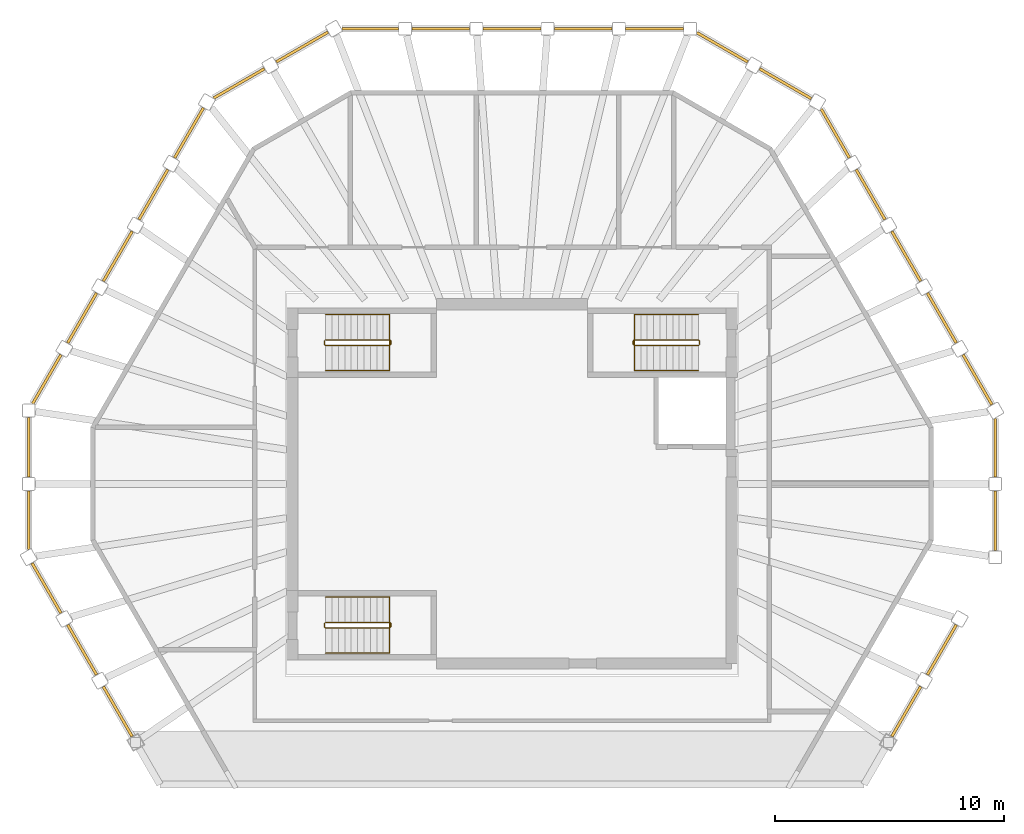
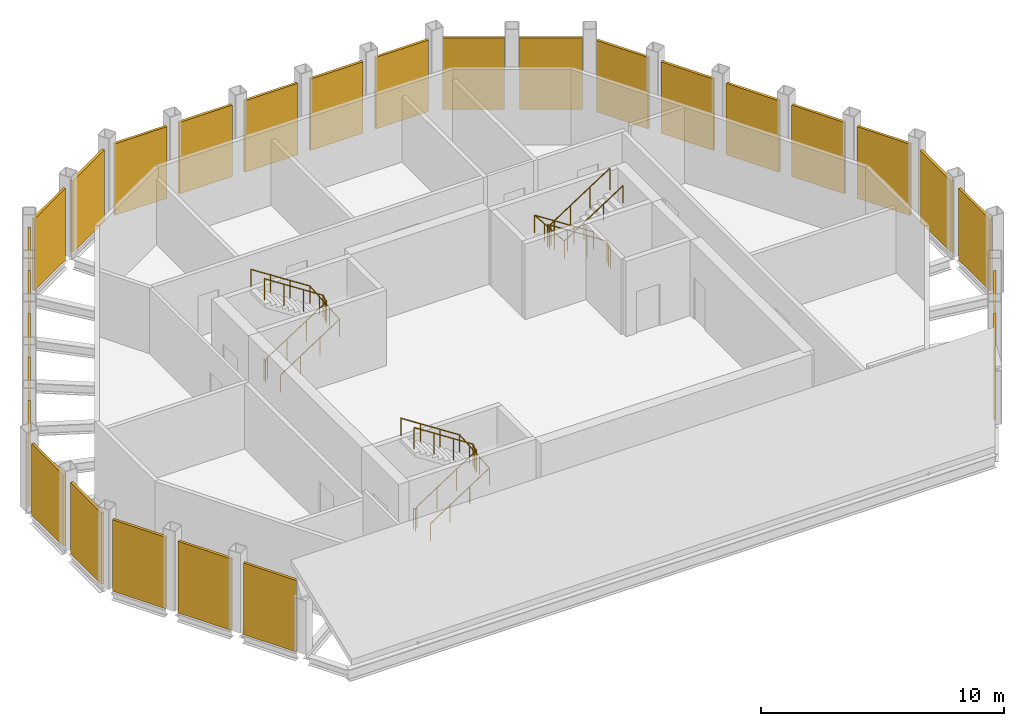
# One storey, part 5 of 5: 28 coverings, 6 railings.
"""IFC4 building model written with IfcOpenShell, lengths in metres."""

from ifc_helpers import new_model, si_unit, direction, frame, origin, origin_2d, place, context, subcontext, project, spatial, polyline, circle, outline, extrude, material, layer, layer_set, type_object, element, save


model = new_model("IFC4")

# Units and contexts
model_context = context("Model", 3, precision=1e-05, world=origin(), true_north=direction((0.0, 1.0)))
body_context = subcontext(model_context, "Body", "Model", "MODEL_VIEW")
ifc_project = project(units=[si_unit("LENGTHUNIT", "METRE"), si_unit("AREAUNIT", "SQUARE_METRE"), si_unit("VOLUMEUNIT", "CUBIC_METRE"), si_unit("PLANEANGLEUNIT", "RADIAN"), si_unit("MASSUNIT", "GRAM", prefix="KILO")], contexts=[model_context])

# Site, building, storey
site_placement = place(None, origin())
site = spatial("IfcSite", under=ifc_project, at=site_placement, CompositionType="ELEMENT")
building_placement = place(site_placement, origin())
building = spatial("IfcBuilding", under=site, at=building_placement, Name="Frailejon Research Tower", CompositionType="ELEMENT")
storey_placement = place(building_placement, frame((0.0, 0.0, 352.60009765625)))
storey = spatial("IfcBuildingStorey", under=building, at=storey_placement, Name="L79", CompositionType="ELEMENT", Elevation=352.60009765625)

# Coverings
ifc_material_1 = material(Name="Anodised aluminium louvres", Category="aluminium")
ifc_layer = layer(ifc_material_1, 0.1201171875)
ifc_layer_set = layer_set([ifc_layer], Name="Crown louvre screen 120")
covering_type = type_object("IfcCoveringType", Name="Crown louvre screen 120", PredefinedType="CLADDING", material=ifc_layer_set)
covering_1_placement = place(storey_placement, frame((21.12744140625, -0.300048828125, -0.2001953125), z_axis=(0.0, -1.0, 0.0), x_axis=(1.0, 0.0, 0.0)))
element("IfcCovering", 1, at=covering_1_placement, inside=storey, type_object=covering_type, Name="Crown louvre screen L79", PredefinedType="CLADDING", context=body_context, shape_type="SweptSolid", body=[
    extrude(outline(polyline([(-0.06005859375, 0.0), (0.06005859375, 0.0), (0.06005859375, 3.60009765625), (-0.06005859375, 3.60009765625), (-0.06005859375, 0.0)])), origin(), (0.0, 0.0, 1.0), 2.606201171875),
])
covering_2_placement = place(storey_placement, frame((21.12744140625, 2.859619140625, -0.2001953125), z_axis=(0.0, -1.0, 0.0), x_axis=(1.0, 0.0, 0.0)))
element("IfcCovering", 2, at=covering_2_placement, inside=storey, type_object=covering_type, Name="Crown louvre screen L79", PredefinedType="CLADDING", context=body_context, shape_type="SweptSolid", body=[
    extrude(outline(polyline([(-0.06005859375, 0.0), (0.06005859375, 0.0), (0.06005859375, 3.60009765625), (-0.06005859375, 3.60009765625), (-0.06005859375, 0.0)])), origin(), (0.0, 0.0, 1.0), 2.559814453125),
])
for number, where, z_axis, x_axis, name in (
    (3, (19.72021484375, 5.643798828125, -0.2001953125), (0.499996674019, -0.866027324032, 0.0), (0.866027324032, 0.499996674019, 0.0), "Crown louvre screen L79"),
    (4, (18.16259765625, 8.34130859375, -0.2001953125), (0.500009278777, -0.866020046614, 0.0), (0.866020046614, 0.500009278777, 0.0), "Crown louvre screen L79"),
    (5, (16.605224609375, 11.0390625, -0.2001953125), (0.499979456235, -0.866037264408, 0.0), (0.866037264408, 0.499979456235, 0.0), "Crown louvre screen L79"),
    (6, (15.047607421875, 13.736572265625, -0.2001953125), (0.500009278777, -0.866020046614, 0.0), (0.866020046614, 0.500009278777, 0.0), "Crown louvre screen L79"),
):
    element("IfcCovering", number, at=place(storey_placement, frame(where, z_axis=z_axis, x_axis=x_axis)), inside=storey, type_object=covering_type, Name=name, PredefinedType="CLADDING", context=body_context, shape_type="SweptSolid", body=[
        extrude(outline(polyline([(-0.06005859375, 0.0), (0.06005859375, 0.0), (0.06005859375, 3.60009765625), (-0.06005859375, 3.60009765625), (-0.06005859375, 0.0)])), origin(), (0.0, 0.0, 1.0), 2.514892578125),
    ])
covering_3_placement = place(storey_placement, frame((13.513427734375, 16.393798828125, -0.2001953125), z_axis=(0.499999492034, -0.866025697059, 0.0), x_axis=(0.866025697059, 0.499999492034, 0.0)))
element("IfcCovering", 7, at=covering_3_placement, inside=storey, type_object=covering_type, Name="Crown louvre screen L79", PredefinedType="CLADDING", context=body_context, shape_type="SweptSolid", body=[
    extrude(outline(polyline([(-0.06005859375, 0.0), (0.06005859375, 0.0), (0.06005859375, 3.60009765625), (-0.06005859375, 3.60009765625), (-0.06005859375, 0.0)])), origin(), (0.0, 0.0, 1.0), 2.468505859375),
])
covering_4_placement = place(storey_placement, frame((10.823486328125, 18.14697265625, -0.2001953125), z_axis=(0.866012414126, -0.500022498073, 0.0), x_axis=(0.500022498073, 0.866012414126, 0.0)))
element("IfcCovering", 8, at=covering_4_placement, inside=storey, type_object=covering_type, Name="Crown louvre screen L79", PredefinedType="CLADDING", context=body_context, shape_type="SweptSolid", body=[
    extrude(outline(polyline([(-0.06005859375, 0.0), (0.06005859375, 0.0), (0.06005859375, 3.60009765625), (-0.06005859375, 3.60009765625), (-0.06005859375, 0.0)])), origin(), (0.0, 0.0, 1.0), 2.606201171875),
])
covering_5_placement = place(storey_placement, frame((8.087158203125, 19.726806640625, -0.2001953125), z_axis=(0.866037258145, -0.499979467084, 0.0), x_axis=(0.499979467084, 0.866037258145, 0.0)))
element("IfcCovering", 9, at=covering_5_placement, inside=storey, type_object=covering_type, Name="Crown louvre screen L79", PredefinedType="CLADDING", context=body_context, shape_type="SweptSolid", body=[
    extrude(outline(polyline([(-0.06005859375, 0.0), (0.06005859375, 0.0), (0.06005859375, 3.60009765625), (-0.06005859375, 3.60009765625), (-0.06005859375, 0.0)])), origin(), (0.0, 0.0, 1.0), 2.559814453125),
])
for number, where, z_axis, x_axis, name in (
    (10, (4.972412109375, 19.89990234375, -0.2001953125), (1.0, 0.0, 0.0), (0.0, 1.0, 0.0), "Crown louvre screen L79"),
    (11, (1.857421875, 19.89990234375, -0.2001953125), (1.0, 0.0, 0.0), (0.0, 1.0, 0.0), "Crown louvre screen L79"),
    (12, (-1.25732421875, 19.89990234375, -0.2001953125), (1.0, 0.0, 0.0), (0.0, 1.0, 0.0), "Crown louvre screen L79"),
    (13, (-4.372314453125, 19.89990234375, -0.2001953125), (1.0, 0.0, 0.0), (0.0, 1.0, 0.0), "Crown louvre screen L79"),
):
    element("IfcCovering", number, at=place(storey_placement, frame(where, z_axis=z_axis, x_axis=x_axis)), inside=storey, type_object=covering_type, Name=name, PredefinedType="CLADDING", context=body_context, shape_type="SweptSolid", body=[
        extrude(outline(polyline([(-0.06005859375, 0.0), (0.06005859375, 0.0), (0.06005859375, 3.60009765625), (-0.06005859375, 3.60009765625), (-0.06005859375, 0.0)])), origin(), (0.0, 0.0, 1.0), 2.514892578125),
    ])
covering_6_placement = place(storey_placement, frame((-7.44091796875, 19.89990234375, -0.2001953125), z_axis=(1.0, 0.0, 0.0), x_axis=(0.0, 1.0, 0.0)))
element("IfcCovering", 14, at=covering_6_placement, inside=storey, type_object=covering_type, Name="Crown louvre screen L79", PredefinedType="CLADDING", context=body_context, shape_type="SweptSolid", body=[
    extrude(outline(polyline([(-0.06005859375, 0.0), (0.06005859375, 0.0), (0.06005859375, 3.60009765625), (-0.06005859375, 3.60009765625), (-0.06005859375, 0.0)])), origin(), (0.0, 0.0, 1.0), 2.468505859375),
])
covering_7_placement = place(storey_placement, frame((-10.303955078125, 18.447021484375, -0.2001953125), z_axis=(0.866038622295, 0.49997710417, 0.0), x_axis=(-0.49997710417, 0.866038622295, 0.0)))
element("IfcCovering", 15, at=covering_7_placement, inside=storey, type_object=covering_type, Name="Crown louvre screen L79", PredefinedType="CLADDING", context=body_context, shape_type="SweptSolid", body=[
    extrude(outline(polyline([(-0.06005859375, 0.0), (0.06005859375, 0.0), (0.06005859375, 3.60009765625), (-0.06005859375, 3.60009765625), (-0.06005859375, 0.0)])), origin(), (0.0, 0.0, 1.0), 2.606201171875),
])
covering_8_placement = place(storey_placement, frame((-13.040283203125, 16.8671875, -0.2001953125), z_axis=(0.866010574459, 0.500025684265, 0.0), x_axis=(-0.500025684265, 0.866010574459, 0.0)))
element("IfcCovering", 16, at=covering_8_placement, inside=storey, type_object=covering_type, Name="Crown louvre screen L79", PredefinedType="CLADDING", context=body_context, shape_type="SweptSolid", body=[
    extrude(outline(polyline([(-0.06005859375, 0.0), (0.06005859375, 0.0), (0.06005859375, 3.60009765625), (-0.06005859375, 3.60009765625), (-0.06005859375, 0.0)])), origin(), (0.0, 0.0, 1.0), 2.559814453125),
])
for number, where, z_axis, x_axis, name in (
    (17, (-14.747802734375, 14.256103515625, -0.2001953125), (0.499996674019, 0.866027324032, 0.0), (-0.866027324032, 0.499996674019, 0.0), "Crown louvre screen L79"),
    (18, (-16.30517578125, 11.55859375, -0.2001953125), (0.500009278777, 0.866020046614, 0.0), (-0.866020046614, 0.500009278777, 0.0), "Crown louvre screen L79"),
    (19, (-17.862548828125, 8.861083984375, -0.2001953125), (0.499979456235, 0.866037264408, 0.0), (-0.866037264408, 0.499979456235, 0.0), "Crown louvre screen L79"),
    (20, (-19.420166015625, 6.163330078125, -0.2001953125), (0.500009278777, 0.866020046614, 0.0), (-0.866020046614, 0.500009278777, 0.0), "Crown louvre screen L79"),
):
    element("IfcCovering", number, at=place(storey_placement, frame(where, z_axis=z_axis, x_axis=x_axis)), inside=storey, type_object=covering_type, Name=name, PredefinedType="CLADDING", context=body_context, shape_type="SweptSolid", body=[
        extrude(outline(polyline([(-0.06005859375, 0.0), (0.06005859375, 0.0), (0.06005859375, 3.60009765625), (-0.06005859375, 3.60009765625), (-0.06005859375, 0.0)])), origin(), (0.0, 0.0, 1.0), 2.514892578125),
    ])
covering_9_placement = place(storey_placement, frame((-20.954345703125, 3.506103515625, -0.2001953125), z_axis=(0.499999492034, 0.866025697059, 0.0), x_axis=(-0.866025697059, 0.499999492034, 0.0)))
element("IfcCovering", 21, at=covering_9_placement, inside=storey, type_object=covering_type, Name="Crown louvre screen L79", PredefinedType="CLADDING", context=body_context, shape_type="SweptSolid", body=[
    extrude(outline(polyline([(-0.06005859375, 0.0), (0.06005859375, 0.0), (0.06005859375, 3.60009765625), (-0.06005859375, 3.60009765625), (-0.06005859375, 0.0)])), origin(), (0.0, 0.0, 1.0), 2.468505859375),
])
covering_10_placement = place(storey_placement, frame((-21.12744140625, 0.300048828125, -0.2001953125), z_axis=(0.0, 1.0, 0.0), x_axis=(-1.0, 0.0, 0.0)))
element("IfcCovering", 22, at=covering_10_placement, inside=storey, type_object=covering_type, Name="Crown louvre screen L79", PredefinedType="CLADDING", context=body_context, shape_type="SweptSolid", body=[
    extrude(outline(polyline([(-0.06005859375, 0.0), (0.06005859375, 0.0), (0.06005859375, 3.60009765625), (-0.06005859375, 3.60009765625), (-0.06005859375, 0.0)])), origin(), (0.0, 0.0, 1.0), 2.606201171875),
])
covering_11_placement = place(storey_placement, frame((-21.12744140625, -2.859619140625, -0.2001953125), z_axis=(0.0, 1.0, 0.0), x_axis=(-1.0, 0.0, 0.0)))
element("IfcCovering", 23, at=covering_11_placement, inside=storey, type_object=covering_type, Name="Crown louvre screen L79", PredefinedType="CLADDING", context=body_context, shape_type="SweptSolid", body=[
    extrude(outline(polyline([(-0.06005859375, 0.0), (0.06005859375, 0.0), (0.06005859375, 3.60009765625), (-0.06005859375, 3.60009765625), (-0.06005859375, 0.0)])), origin(), (0.0, 0.0, 1.0), 2.559814453125),
])
for number, where, z_axis, x_axis, name in (
    (24, (-19.72021484375, -5.643798828125, -0.2001953125), (-0.499996674019, 0.866027324032, 0.0), (-0.866027324032, -0.499996674019, 0.0), "Crown louvre screen L79"),
    (25, (-18.16259765625, -8.34130859375, -0.2001953125), (-0.500009278777, 0.866020046614, 0.0), (-0.866020046614, -0.500009278777, 0.0), "Crown louvre screen L79"),
    (26, (-16.605224609375, -11.0390625, -0.2001953125), (-0.499979456235, 0.866037264408, 0.0), (-0.866037264408, -0.499979456235, 0.0), "Crown louvre screen L79"),
    (27, (17.862548828125, -8.861083984375, -0.2001953125), (-0.499979456235, -0.866037264408, 0.0), (0.866037264408, -0.499979456235, 0.0), "Crown louvre screen L79"),
    (28, (19.420166015625, -6.163330078125, -0.2001953125), (-0.500009278777, -0.866020046614, 0.0), (0.866020046614, -0.500009278777, 0.0), "Crown louvre screen L79"),
):
    element("IfcCovering", number, at=place(storey_placement, frame(where, z_axis=z_axis, x_axis=x_axis)), inside=storey, type_object=covering_type, Name=name, PredefinedType="CLADDING", context=body_context, shape_type="SweptSolid", body=[
        extrude(outline(polyline([(-0.06005859375, 0.0), (0.06005859375, 0.0), (0.06005859375, 3.60009765625), (-0.06005859375, 3.60009765625), (-0.06005859375, 0.0)])), origin(), (0.0, 0.0, 1.0), 2.514892578125),
    ])

# Railings
ifc_material_2 = material(Name="Stainless steel", Category="steel")
railing_type_1 = type_object("IfcRailingType", Name="Stair guard 1100", PredefinedType="GUARDRAIL", material=ifc_material_2)
railing_1_placement = place(storey_placement, frame((-8.199951171875, 6.25, 0.0)))
element("IfcRailing", 29, at=railing_1_placement, inside=storey, type_object=railing_type_1, Name="L79 ST1 stair guard 1", PredefinedType="GUARDRAIL", context=body_context, shape_type="SweptSolid", body=[
    extrude(circle(Radius=0.02392578125, at=origin_2d()), frame((0.0, 0.0, 1.076171875), z_axis=(0.0, -1.0, 0.0), x_axis=(1.0, 0.0, 0.0)), (0.0, 0.0, 1.0), 0.14990234375),
    extrude(circle(Radius=0.02392578125, at=origin_2d()), frame((0.0, -0.14990234375, 1.076171875), z_axis=(0.256734642926, -0.256734642926, 0.931758899203), x_axis=(0.707106781187, 0.707106781187, 0.0)), (0.0, 0.0, 1.0), 0.19482421875),
    extrude(circle(Radius=0.02392578125, at=origin_2d()), frame((0.050048828125, -0.199951171875, 1.2578125), z_axis=(0.838650734948, 0.0, 0.544669573936), x_axis=(0.0, 1.0, 0.0)), (0.0, 0.0, 1.0), 3.33837890625),
    extrude(circle(Radius=0.02392578125, at=origin_2d()), frame((2.849853515625, -0.199951171875, 3.076171875), z_axis=(0.707106781187, 0.707106781187, 0.0), x_axis=(-0.707106781187, 0.707106781187, 0.0)), (0.0, 0.0, 1.0), 0.07080078125),
    extrude(circle(Radius=0.02392578125, at=origin_2d()), frame((2.89990234375, -0.14990234375, 3.076171875), z_axis=(0.0, 1.0, 0.0), x_axis=(-1.0, 0.0, 0.0)), (0.0, 0.0, 1.0), 0.14990234375),
    extrude(circle(Radius=0.02392578125, at=origin_2d()), frame((2.89990234375, 0.0, 3.076171875), z_axis=(-0.256734642926, 0.256734642926, 0.931758899203), x_axis=(-0.707106781187, -0.707106781187, 0.0)), (0.0, 0.0, 1.0), 0.19482421875),
    extrude(circle(Radius=0.02392578125, at=origin_2d()), frame((2.849853515625, 0.050048828125, 3.2578125), z_axis=(-0.838650734948, 0.0, 0.544669573936), x_axis=(0.0, -1.0, 0.0)), (0.0, 0.0, 1.0), 3.33837890625),
    extrude(circle(Radius=0.02099609375, at=origin_2d()), origin(), (0.0, 0.0, 1.0), 1.052001953125),
    extrude(circle(Radius=0.02099609375, at=origin_2d()), frame((0.0, -0.14990234375, 0.0)), (0.0, 0.0, 1.0), 1.052001953125),
    extrude(circle(Radius=0.02099609375, at=origin_2d()), frame((0.050048828125, -0.199951171875, 0.181640625)), (0.0, 0.0, 1.0), 1.052001953125),
    extrude(circle(Radius=0.02099609375, at=origin_2d()), frame((0.9833984375, -0.199951171875, 0.787841796875)), (0.0, 0.0, 1.0), 1.052001953125),
    extrude(circle(Radius=0.02099609375, at=origin_2d()), frame((1.91650390625, -0.199951171875, 1.393798828125)), (0.0, 0.0, 1.0), 1.052001953125),
    extrude(circle(Radius=0.02099609375, at=origin_2d()), frame((2.849853515625, -0.199951171875, 2.0)), (0.0, 0.0, 1.0), 1.052001953125),
    extrude(circle(Radius=0.02099609375, at=origin_2d()), frame((2.89990234375, -0.14990234375, 2.0)), (0.0, 0.0, 1.0), 1.052001953125),
    extrude(circle(Radius=0.02099609375, at=origin_2d()), frame((2.89990234375, 0.0, 2.0)), (0.0, 0.0, 1.0), 1.052001953125),
    extrude(circle(Radius=0.02099609375, at=origin_2d()), frame((2.849853515625, 0.050048828125, 2.181640625)), (0.0, 0.0, 1.0), 1.052001953125),
    extrude(circle(Radius=0.02099609375, at=origin_2d()), frame((1.91650390625, 0.050048828125, 2.787841796875)), (0.0, 0.0, 1.0), 1.052001953125),
    extrude(circle(Radius=0.02099609375, at=origin_2d()), frame((0.9833984375, 0.050048828125, 3.393798828125)), (0.0, 0.0, 1.0), 1.052001953125),
    extrude(circle(Radius=0.02099609375, at=origin_2d()), frame((0.050048828125, 0.050048828125, 4.0)), (0.0, 0.0, 1.0), 1.052001953125),
])
railing_2_placement = place(storey_placement, frame((-8.199951171875, -6.10009765625, 0.0)))
element("IfcRailing", 30, at=railing_2_placement, inside=storey, type_object=railing_type_1, Name="L79 ST2 stair guard 1", PredefinedType="GUARDRAIL", context=body_context, shape_type="SweptSolid", body=[
    extrude(circle(Radius=0.02392578125, at=origin_2d()), frame((0.0, 0.0, 1.076171875), z_axis=(0.0, -1.0, 0.0), x_axis=(1.0, 0.0, 0.0)), (0.0, 0.0, 1.0), 0.14990234375),
    extrude(circle(Radius=0.02392578125, at=origin_2d()), frame((0.0, -0.14990234375, 1.076171875), z_axis=(0.256734642926, -0.256734642926, 0.931758899203), x_axis=(0.707106781187, 0.707106781187, 0.0)), (0.0, 0.0, 1.0), 0.19482421875),
    extrude(circle(Radius=0.02392578125, at=origin_2d()), frame((0.050048828125, -0.199951171875, 1.2578125), z_axis=(0.838650734948, 0.0, 0.544669573936), x_axis=(0.0, 1.0, 0.0)), (0.0, 0.0, 1.0), 3.33837890625),
    extrude(circle(Radius=0.02392578125, at=origin_2d()), frame((2.849853515625, -0.199951171875, 3.076171875), z_axis=(0.707106781187, 0.707106781187, 0.0), x_axis=(-0.707106781187, 0.707106781187, 0.0)), (0.0, 0.0, 1.0), 0.07080078125),
    extrude(circle(Radius=0.02392578125, at=origin_2d()), frame((2.89990234375, -0.14990234375, 3.076171875), z_axis=(0.0, 1.0, 0.0), x_axis=(-1.0, 0.0, 0.0)), (0.0, 0.0, 1.0), 0.14990234375),
    extrude(circle(Radius=0.02392578125, at=origin_2d()), frame((2.89990234375, 0.0, 3.076171875), z_axis=(-0.256734642926, 0.256734642926, 0.931758899203), x_axis=(-0.707106781187, -0.707106781187, 0.0)), (0.0, 0.0, 1.0), 0.19482421875),
    extrude(circle(Radius=0.02392578125, at=origin_2d()), frame((2.849853515625, 0.050048828125, 3.2578125), z_axis=(-0.838650734948, 0.0, 0.544669573936), x_axis=(0.0, -1.0, 0.0)), (0.0, 0.0, 1.0), 3.33837890625),
    extrude(circle(Radius=0.02099609375, at=origin_2d()), origin(), (0.0, 0.0, 1.0), 1.052001953125),
    extrude(circle(Radius=0.02099609375, at=origin_2d()), frame((0.0, -0.14990234375, 0.0)), (0.0, 0.0, 1.0), 1.052001953125),
    extrude(circle(Radius=0.02099609375, at=origin_2d()), frame((0.050048828125, -0.199951171875, 0.181640625)), (0.0, 0.0, 1.0), 1.052001953125),
    extrude(circle(Radius=0.02099609375, at=origin_2d()), frame((0.9833984375, -0.199951171875, 0.787841796875)), (0.0, 0.0, 1.0), 1.052001953125),
    extrude(circle(Radius=0.02099609375, at=origin_2d()), frame((1.91650390625, -0.199951171875, 1.393798828125)), (0.0, 0.0, 1.0), 1.052001953125),
    extrude(circle(Radius=0.02099609375, at=origin_2d()), frame((2.849853515625, -0.199951171875, 2.0)), (0.0, 0.0, 1.0), 1.052001953125),
    extrude(circle(Radius=0.02099609375, at=origin_2d()), frame((2.89990234375, -0.14990234375, 2.0)), (0.0, 0.0, 1.0), 1.052001953125),
    extrude(circle(Radius=0.02099609375, at=origin_2d()), frame((2.89990234375, 0.0, 2.0)), (0.0, 0.0, 1.0), 1.052001953125),
    extrude(circle(Radius=0.02099609375, at=origin_2d()), frame((2.849853515625, 0.050048828125, 2.181640625)), (0.0, 0.0, 1.0), 1.052001953125),
    extrude(circle(Radius=0.02099609375, at=origin_2d()), frame((1.91650390625, 0.050048828125, 2.787841796875)), (0.0, 0.0, 1.0), 1.052001953125),
    extrude(circle(Radius=0.02099609375, at=origin_2d()), frame((0.9833984375, 0.050048828125, 3.393798828125)), (0.0, 0.0, 1.0), 1.052001953125),
    extrude(circle(Radius=0.02099609375, at=origin_2d()), frame((0.050048828125, 0.050048828125, 4.0)), (0.0, 0.0, 1.0), 1.052001953125),
])
railing_3_placement = place(storey_placement, frame((8.199951171875, 6.10009765625, 0.0)))
element("IfcRailing", 31, at=railing_3_placement, inside=storey, type_object=railing_type_1, Name="L79 ST3 stair guard 1", PredefinedType="GUARDRAIL", context=body_context, shape_type="SweptSolid", body=[
    extrude(circle(Radius=0.02392578125, at=origin_2d()), frame((0.0, 0.0, 1.076171875), z_axis=(0.0, 1.0, 0.0), x_axis=(-1.0, 0.0, 0.0)), (0.0, 0.0, 1.0), 0.14990234375),
    extrude(circle(Radius=0.02392578125, at=origin_2d()), frame((0.0, 0.14990234375, 1.076171875), z_axis=(-0.256734642926, 0.256734642926, 0.931758899203), x_axis=(-0.707106781187, -0.707106781187, 0.0)), (0.0, 0.0, 1.0), 0.19482421875),
    extrude(circle(Radius=0.02392578125, at=origin_2d()), frame((-0.050048828125, 0.199951171875, 1.2578125), z_axis=(-0.838650734948, 0.0, 0.544669573936), x_axis=(0.0, -1.0, 0.0)), (0.0, 0.0, 1.0), 3.33837890625),
    extrude(circle(Radius=0.02392578125, at=origin_2d()), frame((-2.849853515625, 0.199951171875, 3.076171875), z_axis=(-0.707106781187, -0.707106781187, 0.0), x_axis=(0.707106781187, -0.707106781187, 0.0)), (0.0, 0.0, 1.0), 0.07080078125),
    extrude(circle(Radius=0.02392578125, at=origin_2d()), frame((-2.89990234375, 0.14990234375, 3.076171875), z_axis=(0.0, -1.0, 0.0), x_axis=(1.0, 0.0, 0.0)), (0.0, 0.0, 1.0), 0.14990234375),
    extrude(circle(Radius=0.02392578125, at=origin_2d()), frame((-2.89990234375, 0.0, 3.076171875), z_axis=(0.256734642926, -0.256734642926, 0.931758899203), x_axis=(0.707106781187, 0.707106781187, 0.0)), (0.0, 0.0, 1.0), 0.19482421875),
    extrude(circle(Radius=0.02392578125, at=origin_2d()), frame((-2.849853515625, -0.050048828125, 3.2578125), z_axis=(0.838650734948, 0.0, 0.544669573936), x_axis=(0.0, 1.0, 0.0)), (0.0, 0.0, 1.0), 3.33837890625),
    extrude(circle(Radius=0.02099609375, at=origin_2d()), origin(), (0.0, 0.0, 1.0), 1.052001953125),
    extrude(circle(Radius=0.02099609375, at=origin_2d()), frame((0.0, 0.14990234375, 0.0)), (0.0, 0.0, 1.0), 1.052001953125),
    extrude(circle(Radius=0.02099609375, at=origin_2d()), frame((-0.050048828125, 0.199951171875, 0.181640625)), (0.0, 0.0, 1.0), 1.052001953125),
    extrude(circle(Radius=0.02099609375, at=origin_2d()), frame((-0.9833984375, 0.199951171875, 0.787841796875)), (0.0, 0.0, 1.0), 1.052001953125),
    extrude(circle(Radius=0.02099609375, at=origin_2d()), frame((-1.91650390625, 0.199951171875, 1.393798828125)), (0.0, 0.0, 1.0), 1.052001953125),
    extrude(circle(Radius=0.02099609375, at=origin_2d()), frame((-2.849853515625, 0.199951171875, 2.0)), (0.0, 0.0, 1.0), 1.052001953125),
    extrude(circle(Radius=0.02099609375, at=origin_2d()), frame((-2.89990234375, 0.14990234375, 2.0)), (0.0, 0.0, 1.0), 1.052001953125),
    extrude(circle(Radius=0.02099609375, at=origin_2d()), frame((-2.89990234375, 0.0, 2.0)), (0.0, 0.0, 1.0), 1.052001953125),
    extrude(circle(Radius=0.02099609375, at=origin_2d()), frame((-2.849853515625, -0.050048828125, 2.181640625)), (0.0, 0.0, 1.0), 1.052001953125),
    extrude(circle(Radius=0.02099609375, at=origin_2d()), frame((-1.91650390625, -0.050048828125, 2.787841796875)), (0.0, 0.0, 1.0), 1.052001953125),
    extrude(circle(Radius=0.02099609375, at=origin_2d()), frame((-0.9833984375, -0.050048828125, 3.393798828125)), (0.0, 0.0, 1.0), 1.052001953125),
    extrude(circle(Radius=0.02099609375, at=origin_2d()), frame((-0.050048828125, -0.050048828125, 4.0)), (0.0, 0.0, 1.0), 1.052001953125),
])
ifc_material_3 = material(Name="Stainless steel", Category="steel")
railing_type_2 = type_object("IfcRailingType", Name="Stair handrail 900", PredefinedType="HANDRAIL", material=ifc_material_3)
railing_4_placement = place(storey_placement, frame((-8.14990234375, 4.949951171875, 0.181640625)))
element("IfcRailing", 32, at=railing_4_placement, inside=storey, type_object=railing_type_2, Name="L79 ST1 stair handrail 1", PredefinedType="HANDRAIL", context=body_context, shape_type="SweptSolid", body=[
    extrude(circle(Radius=0.02392578125, at=origin_2d()), frame((0.0, 0.0, 0.8759765625), z_axis=(0.838650734948, 0.0, 0.544669573936), x_axis=(0.0, 1.0, 0.0)), (0.0, 0.0, 1.0), 3.33837890625),
    extrude(circle(Radius=0.02392578125, at=origin_2d()), frame((2.7998046875, 0.0, 2.6943359375), z_axis=(0.0, 0.997262871482, 0.073937576122), x_axis=(-1.0, 0.0, 0.0)), (0.0, 0.0, 1.0), 2.456787109375),
    extrude(circle(Radius=0.02392578125, at=origin_2d()), frame((2.7998046875, 2.449951171875, 2.8759765625), z_axis=(-0.838650734948, 0.0, 0.544669573936), x_axis=(0.0, -1.0, 0.0)), (0.0, 0.0, 1.0), 3.33837890625),
    extrude(circle(Radius=0.02099609375, at=origin_2d()), origin(), (0.0, 0.0, 1.0), 0.851806640625),
    extrude(circle(Radius=0.02099609375, at=origin_2d()), frame((0.933349609375, 0.0, 0.606201171875)), (0.0, 0.0, 1.0), 0.851806640625),
    extrude(circle(Radius=0.02099609375, at=origin_2d()), frame((1.866455078125, 0.0, 1.212158203125)), (0.0, 0.0, 1.0), 0.851806640625),
    extrude(circle(Radius=0.02099609375, at=origin_2d()), frame((2.7998046875, 0.0, 1.818359375)), (0.0, 0.0, 1.0), 0.851806640625),
    extrude(circle(Radius=0.02099609375, at=origin_2d()), frame((2.7998046875, 0.816650390625, 1.87890625)), (0.0, 0.0, 1.0), 0.851806640625),
    extrude(circle(Radius=0.02099609375, at=origin_2d()), frame((2.7998046875, 1.63330078125, 1.939453125)), (0.0, 0.0, 1.0), 0.851806640625),
    extrude(circle(Radius=0.02099609375, at=origin_2d()), frame((2.7998046875, 2.449951171875, 2.0)), (0.0, 0.0, 1.0), 0.851806640625),
    extrude(circle(Radius=0.02099609375, at=origin_2d()), frame((1.866455078125, 2.449951171875, 2.606201171875)), (0.0, 0.0, 1.0), 0.851806640625),
    extrude(circle(Radius=0.02099609375, at=origin_2d()), frame((0.933349609375, 2.449951171875, 3.212158203125)), (0.0, 0.0, 1.0), 0.851806640625),
    extrude(circle(Radius=0.02099609375, at=origin_2d()), frame((0.0, 2.449951171875, 3.818359375)), (0.0, 0.0, 1.0), 0.851806640625),
])
railing_5_placement = place(storey_placement, frame((-8.14990234375, -7.39990234375, 0.181640625)))
element("IfcRailing", 33, at=railing_5_placement, inside=storey, type_object=railing_type_2, Name="L79 ST2 stair handrail 1", PredefinedType="HANDRAIL", context=body_context, shape_type="SweptSolid", body=[
    extrude(circle(Radius=0.02392578125, at=origin_2d()), frame((0.0, 0.0, 0.8759765625), z_axis=(0.838650734948, 0.0, 0.544669573936), x_axis=(0.0, 1.0, 0.0)), (0.0, 0.0, 1.0), 3.33837890625),
    extrude(circle(Radius=0.02392578125, at=origin_2d()), frame((2.7998046875, 0.0, 2.6943359375), z_axis=(0.0, 0.997262871482, 0.073937576122), x_axis=(-1.0, 0.0, 0.0)), (0.0, 0.0, 1.0), 2.456787109375),
    extrude(circle(Radius=0.02392578125, at=origin_2d()), frame((2.7998046875, 2.449951171875, 2.8759765625), z_axis=(-0.838650734948, 0.0, 0.544669573936), x_axis=(0.0, -1.0, 0.0)), (0.0, 0.0, 1.0), 3.33837890625),
    extrude(circle(Radius=0.02099609375, at=origin_2d()), origin(), (0.0, 0.0, 1.0), 0.851806640625),
    extrude(circle(Radius=0.02099609375, at=origin_2d()), frame((0.933349609375, 0.0, 0.606201171875)), (0.0, 0.0, 1.0), 0.851806640625),
    extrude(circle(Radius=0.02099609375, at=origin_2d()), frame((1.866455078125, 0.0, 1.212158203125)), (0.0, 0.0, 1.0), 0.851806640625),
    extrude(circle(Radius=0.02099609375, at=origin_2d()), frame((2.7998046875, 0.0, 1.818359375)), (0.0, 0.0, 1.0), 0.851806640625),
    extrude(circle(Radius=0.02099609375, at=origin_2d()), frame((2.7998046875, 0.816650390625, 1.87890625)), (0.0, 0.0, 1.0), 0.851806640625),
    extrude(circle(Radius=0.02099609375, at=origin_2d()), frame((2.7998046875, 1.63330078125, 1.939453125)), (0.0, 0.0, 1.0), 0.851806640625),
    extrude(circle(Radius=0.02099609375, at=origin_2d()), frame((2.7998046875, 2.449951171875, 2.0)), (0.0, 0.0, 1.0), 0.851806640625),
    extrude(circle(Radius=0.02099609375, at=origin_2d()), frame((1.866455078125, 2.449951171875, 2.606201171875)), (0.0, 0.0, 1.0), 0.851806640625),
    extrude(circle(Radius=0.02099609375, at=origin_2d()), frame((0.933349609375, 2.449951171875, 3.212158203125)), (0.0, 0.0, 1.0), 0.851806640625),
    extrude(circle(Radius=0.02099609375, at=origin_2d()), frame((0.0, 2.449951171875, 3.818359375)), (0.0, 0.0, 1.0), 0.851806640625),
])
railing_6_placement = place(storey_placement, frame((8.14990234375, 7.39990234375, 0.181640625)))
element("IfcRailing", 34, at=railing_6_placement, inside=storey, type_object=railing_type_2, Name="L79 ST3 stair handrail 1", PredefinedType="HANDRAIL", context=body_context, shape_type="SweptSolid", body=[
    extrude(circle(Radius=0.02392578125, at=origin_2d()), frame((0.0, 0.0, 0.8759765625), z_axis=(-0.838650734948, 0.0, 0.544669573936), x_axis=(0.0, -1.0, 0.0)), (0.0, 0.0, 1.0), 3.33837890625),
    extrude(circle(Radius=0.02392578125, at=origin_2d()), frame((-2.7998046875, 0.0, 2.6943359375), z_axis=(0.0, -0.997262871482, 0.073937576122), x_axis=(1.0, 0.0, 0.0)), (0.0, 0.0, 1.0), 2.456787109375),
    extrude(circle(Radius=0.02392578125, at=origin_2d()), frame((-2.7998046875, -2.449951171875, 2.8759765625), z_axis=(0.838650734948, 0.0, 0.544669573936), x_axis=(0.0, 1.0, 0.0)), (0.0, 0.0, 1.0), 3.33837890625),
    extrude(circle(Radius=0.02099609375, at=origin_2d()), origin(), (0.0, 0.0, 1.0), 0.851806640625),
    extrude(circle(Radius=0.02099609375, at=origin_2d()), frame((-0.933349609375, 0.0, 0.606201171875)), (0.0, 0.0, 1.0), 0.851806640625),
    extrude(circle(Radius=0.02099609375, at=origin_2d()), frame((-1.866455078125, 0.0, 1.212158203125)), (0.0, 0.0, 1.0), 0.851806640625),
    extrude(circle(Radius=0.02099609375, at=origin_2d()), frame((-2.7998046875, 0.0, 1.818359375)), (0.0, 0.0, 1.0), 0.851806640625),
    extrude(circle(Radius=0.02099609375, at=origin_2d()), frame((-2.7998046875, -0.816650390625, 1.87890625)), (0.0, 0.0, 1.0), 0.851806640625),
    extrude(circle(Radius=0.02099609375, at=origin_2d()), frame((-2.7998046875, -1.63330078125, 1.939453125)), (0.0, 0.0, 1.0), 0.851806640625),
    extrude(circle(Radius=0.02099609375, at=origin_2d()), frame((-2.7998046875, -2.449951171875, 2.0)), (0.0, 0.0, 1.0), 0.851806640625),
    extrude(circle(Radius=0.02099609375, at=origin_2d()), frame((-1.866455078125, -2.449951171875, 2.606201171875)), (0.0, 0.0, 1.0), 0.851806640625),
    extrude(circle(Radius=0.02099609375, at=origin_2d()), frame((-0.933349609375, -2.449951171875, 3.212158203125)), (0.0, 0.0, 1.0), 0.851806640625),
    extrude(circle(Radius=0.02099609375, at=origin_2d()), frame((0.0, -2.449951171875, 3.818359375)), (0.0, 0.0, 1.0), 0.851806640625),
])

save(model, "model.ifc")
